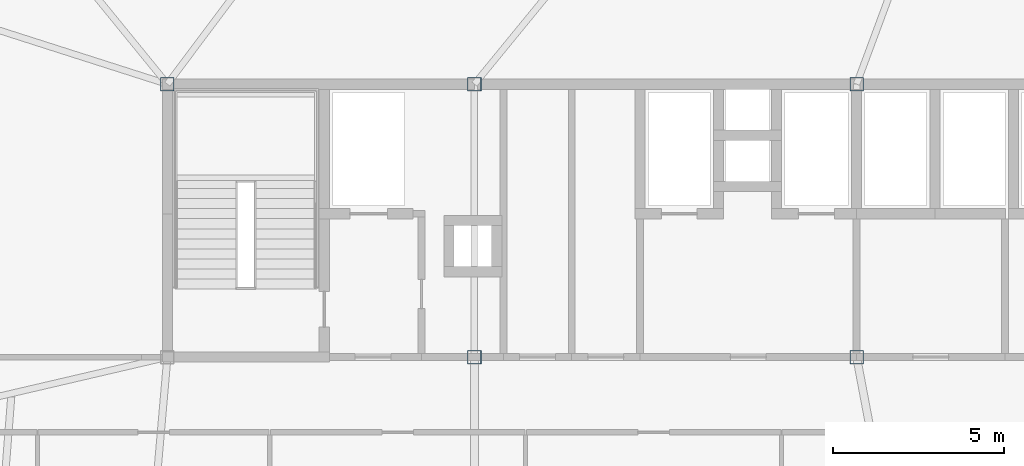
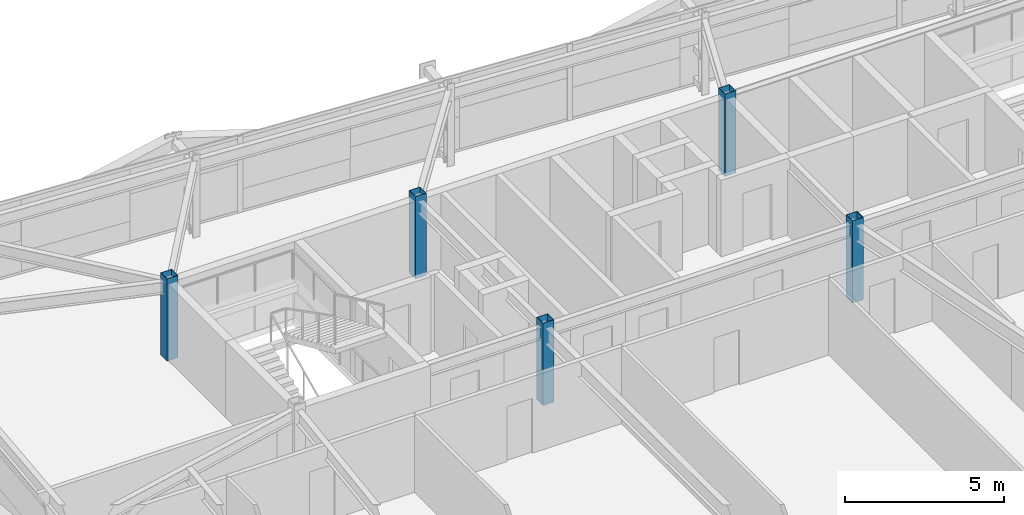
# One storey, part 2 of 39: 5 columns.
"""IFC4 building model written with IfcOpenShell, lengths in metres."""

from ifc_helpers import new_model, si_unit, direction, frame, origin, origin_2d, place, context, subcontext, project, spatial, hollow_rectangle, extrude, source, transform, mapped, material, material_profile, profile_set, type_object, element, save


model = new_model("IFC4")

# Units and contexts
model_context = context("Model", 3, precision=1e-05, world=origin(), true_north=direction((0.0, 1.0)))
body_context = subcontext(model_context, "Body", "Model", "MODEL_VIEW")
ifc_project = project(units=[si_unit("LENGTHUNIT", "METRE"), si_unit("AREAUNIT", "SQUARE_METRE"), si_unit("VOLUMEUNIT", "CUBIC_METRE"), si_unit("PLANEANGLEUNIT", "RADIAN"), si_unit("MASSUNIT", "GRAM", prefix="KILO")], contexts=[model_context])

# Site, building, storey
site_placement = place(None, origin())
site = spatial("IfcSite", under=ifc_project, at=site_placement, CompositionType="ELEMENT")
building_placement = place(site_placement, origin())
building = spatial("IfcBuilding", under=site, at=building_placement, Name="Taldren Reach Tower", CompositionType="ELEMENT")
storey_placement = place(building_placement, frame((0.0, 0.0, 133.0)))
storey = spatial("IfcBuildingStorey", under=building, at=storey_placement, Name="L40", CompositionType="ELEMENT", Elevation=133.0)

# Columns
ifc_material = material(Name="Steel Gr 450 (C450L0)", Category="steel")
ifc_material_profile = material_profile(ifc_material, hollow_rectangle(XDim=0.39990234375, YDim=0.39990234375, WallThickness=0.01611328125, at=origin_2d()), Name="400x400x16.0SHS")
ifc_profile_set = profile_set([ifc_material_profile], Name="Steel Gr 450 (C450L0)")
column_type = type_object("IfcColumnType", Name="COL-SHS400", PredefinedType="COLUMN", material=ifc_profile_set)
shared_shape = source(origin(), body_context, "Body", "SweptSolid", [
    extrude(hollow_rectangle(XDim=0.39990234375, YDim=0.39990234375, WallThickness=0.01611328125, at=origin_2d()), origin(), (0.0, 0.0, 1.0), 3.14990234375),
])
for number, where, z_axis, x_axis, name in (
    (1, (28.0, 24.0, 0.0), (0.0, 0.0, 1.0), (1.0, 0.0, 0.0), "Mega column MC-C2 L40"),
    (2, (39.199951171875, 24.0, 0.0), (0.0, 0.0, 1.0), (1.0, 0.0, 0.0), "Mega column MC-C3 L40"),
    (3, (19.0, 32.0, 0.0), (0.0, 0.0, 1.0), (1.0, 0.0, 0.0), "Mega column MC-C5 L40"),
    (4, (28.0, 32.0, 0.0), (0.0, 0.0, 1.0), (1.0, 0.0, 0.0), "Mega column MC-C6 L40"),
    (5, (39.199951171875, 32.0, 0.0), (0.0, 0.0, 1.0), (1.0, 0.0, 0.0), "Mega column MC-C7 L40"),
):
    element("IfcColumn", number, at=place(storey_placement, frame(where, z_axis=z_axis, x_axis=x_axis)), inside=storey, type_object=column_type, Name=name, PredefinedType="COLUMN", context=body_context, shape_type="MappedRepresentation", body=[
        mapped(shared_shape, transform((0.0, 0.0, 0.0), scale=1.0)),
    ])

save(model, "model.ifc")
